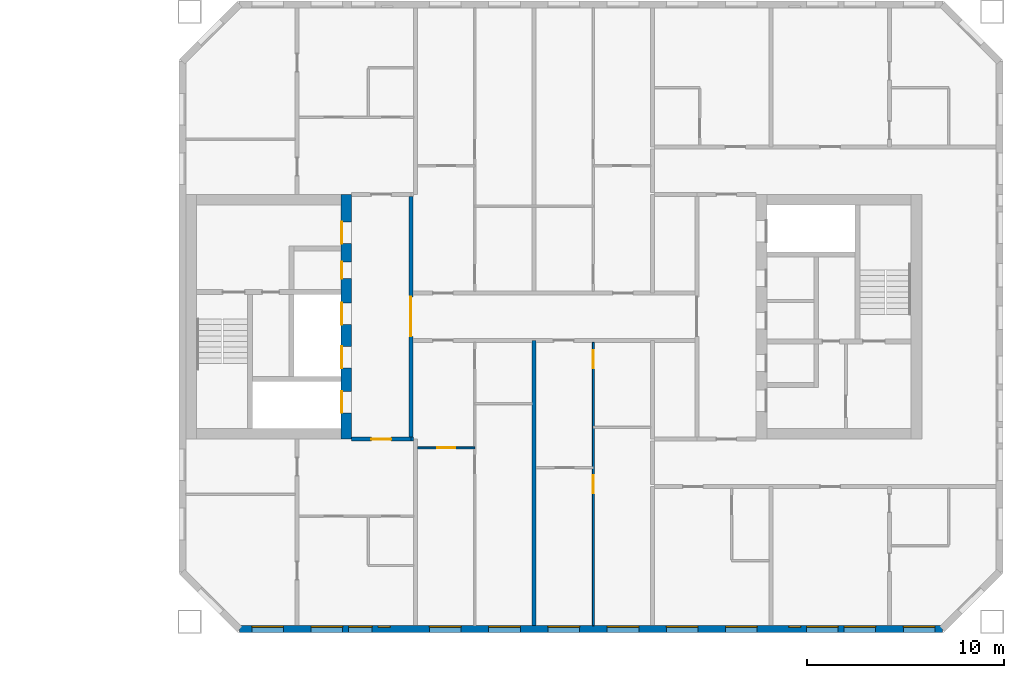
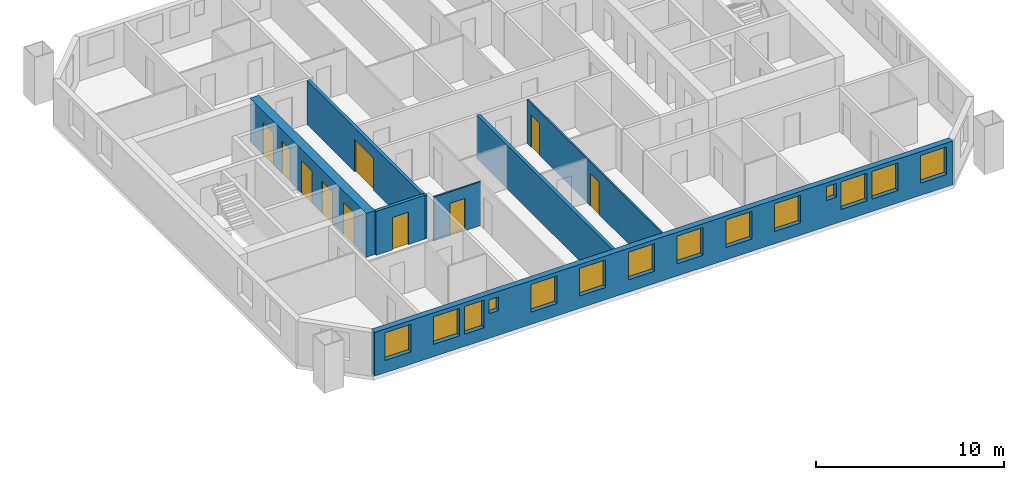
# One storey, part 10 of 16: 14 windows, 10 doors, 8 walls, 24 openings.
"""IFC4 building model written with IfcOpenShell, lengths in metres."""

from ifc_helpers import new_model, si_unit, direction, frame, frame_2d, origin, place, context, subcontext, project, spatial, rectangle, extrude, material, layer, layer_set, type_object, element, fill, save


model = new_model("IFC4")

# Units and contexts
model_context = context("Model", 3, precision=1e-05, world=origin(), true_north=direction((0.0, 1.0)))
body_context = subcontext(model_context, "Body", "Model", "MODEL_VIEW")
ifc_project = project(units=[si_unit("LENGTHUNIT", "METRE"), si_unit("AREAUNIT", "SQUARE_METRE"), si_unit("VOLUMEUNIT", "CUBIC_METRE"), si_unit("PLANEANGLEUNIT", "RADIAN"), si_unit("MASSUNIT", "GRAM", prefix="KILO")], contexts=[model_context])

# Site, building, storey
site_placement = place(None, origin())
site = spatial("IfcSite", under=ifc_project, at=site_placement, CompositionType="ELEMENT")
building_placement = place(site_placement, origin())
building = spatial("IfcBuilding", under=site, at=building_placement, Name="Tuart Gate Housing", CompositionType="ELEMENT")
storey_placement = place(building_placement, frame((0.0, 0.0, 129.89990234375)))
storey = spatial("IfcBuildingStorey", under=building, at=storey_placement, Name="L36", CompositionType="ELEMENT", Elevation=129.89990234375)

# Wall, openings, windows
ifc_material_1 = material(Name="Brick", Category="masonry")
ifc_layer_1 = layer(ifc_material_1, 0.360107421875)
ifc_layer_set_1 = layer_set([ifc_layer_1], Name="Brick pier and spandrel wall 360")
wall_type_1 = type_object("IfcWallType", Name="Brick pier and spandrel wall 360", PredefinedType="STANDARD", material=ifc_layer_set_1)
wall_1_placement = place(storey_placement, frame((134.07470703125, 54.179931640625, 0.0), z_axis=(0.0, 0.0, 1.0), x_axis=(1.0, 0.0, 0.0)))
wall_1 = element("IfcWall", 1, at=wall_1_placement, inside=storey, type_object=wall_type_1, Name="External wall B-S L36", PredefinedType="STANDARD", context=body_context, shape_type="SweptSolid", body=[
    extrude(rectangle(XDim=35.600830078125, YDim=0.360107421875, at=frame_2d((17.80029296875, 0.0))), origin(), (0.0, 0.0, 1.0), 2.85009765625),
])
opening_1_placement = place(wall_1_placement, frame((0.62548828125, 0.0, 0.800048828125)))
opening_1 = element("IfcOpeningElement", 2, at=opening_1_placement, cuts=wall_1, Name="Opening W1", PredefinedType="OPENING", context=body_context, shape_type="SweptSolid", body=[
    extrude(rectangle(XDim=1.60009765625, YDim=1.800048828125, at=frame_2d((0.800048828125, 0.89990234375))), frame((0.0, 0.18994140625, 0.0), z_axis=(0.0, -1.0, 0.0), x_axis=(1.0, 0.0, 0.0)), (0.0, 0.0, 1.0), 0.380126953125),
])
opening_2_placement = place(wall_1_placement, frame((3.62548828125, 0.0, 0.800048828125)))
opening_2 = element("IfcOpeningElement", 3, at=opening_2_placement, cuts=wall_1, Name="Opening W1", PredefinedType="OPENING", context=body_context, shape_type="SweptSolid", body=[
    extrude(rectangle(XDim=1.60009765625, YDim=1.800048828125, at=frame_2d((0.800048828125, 0.89990234375))), frame((0.0, 0.18994140625, 0.0), z_axis=(0.0, -1.0, 0.0), x_axis=(1.0, 0.0, 0.0)), (0.0, 0.0, 1.0), 0.380126953125),
])
opening_3_placement = place(wall_1_placement, frame((5.525390625, 0.0, 0.800048828125)))
opening_3 = element("IfcOpeningElement", 4, at=opening_3_placement, cuts=wall_1, Name="Opening W1B", PredefinedType="OPENING", context=body_context, shape_type="SweptSolid", body=[
    extrude(rectangle(XDim=1.199951171875, YDim=1.800048828125, at=frame_2d((0.60009765625, 0.89990234375))), frame((0.0, 0.18994140625, 0.0), z_axis=(0.0, -1.0, 0.0), x_axis=(1.0, 0.0, 0.0)), (0.0, 0.0, 1.0), 0.380126953125),
])
opening_4_placement = place(wall_1_placement, frame((9.62548828125, 0.0, 0.800048828125)))
opening_4 = element("IfcOpeningElement", 5, at=opening_4_placement, cuts=wall_1, Name="Opening W1", PredefinedType="OPENING", context=body_context, shape_type="SweptSolid", body=[
    extrude(rectangle(XDim=1.60009765625, YDim=1.800048828125, at=frame_2d((0.800048828125, 0.89990234375))), frame((0.0, 0.18994140625, 0.0), z_axis=(0.0, -1.0, 0.0), x_axis=(1.0, 0.0, 0.0)), (0.0, 0.0, 1.0), 0.380126953125),
])
opening_5_placement = place(wall_1_placement, frame((12.62548828125, 0.0, 0.800048828125)))
opening_5 = element("IfcOpeningElement", 6, at=opening_5_placement, cuts=wall_1, Name="Opening W1", PredefinedType="OPENING", context=body_context, shape_type="SweptSolid", body=[
    extrude(rectangle(XDim=1.60009765625, YDim=1.800048828125, at=frame_2d((0.800048828125, 0.89990234375))), frame((0.0, 0.18994140625, 0.0), z_axis=(0.0, -1.0, 0.0), x_axis=(1.0, 0.0, 0.0)), (0.0, 0.0, 1.0), 0.380126953125),
])
opening_6_placement = place(wall_1_placement, frame((15.62548828125, 0.0, 0.800048828125)))
opening_6 = element("IfcOpeningElement", 7, at=opening_6_placement, cuts=wall_1, Name="Opening W1", PredefinedType="OPENING", context=body_context, shape_type="SweptSolid", body=[
    extrude(rectangle(XDim=1.60009765625, YDim=1.800048828125, at=frame_2d((0.800048828125, 0.89990234375))), frame((0.0, 0.18994140625, 0.0), z_axis=(0.0, -1.0, 0.0), x_axis=(1.0, 0.0, 0.0)), (0.0, 0.0, 1.0), 0.380126953125),
])
opening_7_placement = place(wall_1_placement, frame((18.62548828125, 0.0, 0.800048828125)))
opening_7 = element("IfcOpeningElement", 8, at=opening_7_placement, cuts=wall_1, Name="Opening W1", PredefinedType="OPENING", context=body_context, shape_type="SweptSolid", body=[
    extrude(rectangle(XDim=1.60009765625, YDim=1.800048828125, at=frame_2d((0.800048828125, 0.89990234375))), frame((0.0, 0.18994140625, 0.0), z_axis=(0.0, -1.0, 0.0), x_axis=(1.0, 0.0, 0.0)), (0.0, 0.0, 1.0), 0.380126953125),
])
opening_8_placement = place(wall_1_placement, frame((21.62548828125, 0.0, 0.800048828125)))
opening_8 = element("IfcOpeningElement", 9, at=opening_8_placement, cuts=wall_1, Name="Opening W1", PredefinedType="OPENING", context=body_context, shape_type="SweptSolid", body=[
    extrude(rectangle(XDim=1.60009765625, YDim=1.800048828125, at=frame_2d((0.800048828125, 0.89990234375))), frame((0.0, 0.18994140625, 0.0), z_axis=(0.0, -1.0, 0.0), x_axis=(1.0, 0.0, 0.0)), (0.0, 0.0, 1.0), 0.380126953125),
])
opening_9_placement = place(wall_1_placement, frame((24.62548828125, 0.0, 0.800048828125)))
opening_9 = element("IfcOpeningElement", 10, at=opening_9_placement, cuts=wall_1, Name="Opening W1", PredefinedType="OPENING", context=body_context, shape_type="SweptSolid", body=[
    extrude(rectangle(XDim=1.60009765625, YDim=1.800048828125, at=frame_2d((0.800048828125, 0.89990234375))), frame((0.0, 0.18994140625, 0.0), z_axis=(0.0, -1.0, 0.0), x_axis=(1.0, 0.0, 0.0)), (0.0, 0.0, 1.0), 0.380126953125),
])
opening_10_placement = place(wall_1_placement, frame((27.825439453125, 0.0, 1.699951171875)))
opening_10 = element("IfcOpeningElement", 11, at=opening_10_placement, cuts=wall_1, Name="Opening W1W", PredefinedType="OPENING", context=body_context, shape_type="SweptSolid", body=[
    extrude(rectangle(XDim=0.60009765625, YDim=0.89990234375, at=frame_2d((0.300048828125, 0.449951171875))), frame((0.0, 0.18994140625, 0.0), z_axis=(0.0, -1.0, 0.0), x_axis=(1.0, 0.0, 0.0)), (0.0, 0.0, 1.0), 0.380126953125),
])
opening_11_placement = place(wall_1_placement, frame((30.62548828125, 0.0, 0.800048828125)))
opening_11 = element("IfcOpeningElement", 12, at=opening_11_placement, cuts=wall_1, Name="Opening W1", PredefinedType="OPENING", context=body_context, shape_type="SweptSolid", body=[
    extrude(rectangle(XDim=1.60009765625, YDim=1.800048828125, at=frame_2d((0.800048828125, 0.89990234375))), frame((0.0, 0.18994140625, 0.0), z_axis=(0.0, -1.0, 0.0), x_axis=(1.0, 0.0, 0.0)), (0.0, 0.0, 1.0), 0.380126953125),
])
opening_12_placement = place(wall_1_placement, frame((33.62548828125, 0.0, 0.800048828125)))
opening_12 = element("IfcOpeningElement", 13, at=opening_12_placement, cuts=wall_1, Name="Opening W1", PredefinedType="OPENING", context=body_context, shape_type="SweptSolid", body=[
    extrude(rectangle(XDim=1.60009765625, YDim=1.800048828125, at=frame_2d((0.800048828125, 0.89990234375))), frame((0.0, 0.18994140625, 0.0), z_axis=(0.0, -1.0, 0.0), x_axis=(1.0, 0.0, 0.0)), (0.0, 0.0, 1.0), 0.380126953125),
])
opening_13_placement = place(wall_1_placement, frame((7.025390625, 0.0, 1.60009765625)))
opening_13 = element("IfcOpeningElement", 14, at=opening_13_placement, cuts=wall_1, Name="Opening W1W", PredefinedType="OPENING", context=body_context, shape_type="SweptSolid", body=[
    extrude(rectangle(XDim=0.60009765625, YDim=0.89990234375, at=frame_2d((0.300048828125, 0.449951171875))), frame((0.0, 0.18994140625, 0.0), z_axis=(0.0, -1.0, 0.0), x_axis=(1.0, 0.0, 0.0)), (0.0, 0.0, 1.0), 0.380126953125),
])
opening_14_placement = place(wall_1_placement, frame((28.725341796875, 0.0, 0.800048828125)))
opening_14 = element("IfcOpeningElement", 15, at=opening_14_placement, cuts=wall_1, Name="Opening W1", PredefinedType="OPENING", context=body_context, shape_type="SweptSolid", body=[
    extrude(rectangle(XDim=1.60009765625, YDim=1.800048828125, at=frame_2d((0.800048828125, 0.89990234375))), frame((0.0, 0.18994140625, 0.0), z_axis=(0.0, -1.0, 0.0), x_axis=(1.0, 0.0, 0.0)), (0.0, 0.0, 1.0), 0.380126953125),
])
ifc_material_2 = material(Name="Aluminium frame with clear glass", Category="aluminium")
window_type_1 = type_object("IfcWindowType", Name="Punched window 1200 x 1800", PartitioningType="SINGLE_PANEL", PredefinedType="WINDOW", material=ifc_material_2)
window_1_placement = place(opening_3_placement, origin())
window_1 = element("IfcWindow", 16, at=window_1_placement, inside=storey, type_object=window_type_1, Name="Window W1B", OverallHeight=1.800048828125, OverallWidth=1.199951171875, PartitioningType="SINGLE_PANEL", PredefinedType="WINDOW", context=body_context, shape_type="SweptSolid", body=[
    extrude(rectangle(XDim=1.199951171875, YDim=1.800048828125, at=frame_2d((0.60009765625, 0.89990234375))), frame((0.0, 0.150146484375, 0.0), z_axis=(0.0, -1.0, 0.0), x_axis=(1.0, 0.0, 0.0)), (0.0, 0.0, 1.0), 0.06005859375),
])
fill(opening_3, window_1)
ifc_material_3 = material(Name="Aluminium frame with clear glass", Category="aluminium")
window_type_2 = type_object("IfcWindowType", Name="Punched window 1600 x 1800", PartitioningType="SINGLE_PANEL", PredefinedType="WINDOW", material=ifc_material_3)
window_2_placement = place(opening_1_placement, origin())
window_2 = element("IfcWindow", 17, at=window_2_placement, inside=storey, type_object=window_type_2, Name="Window W1", OverallHeight=1.800048828125, OverallWidth=1.60009765625, PartitioningType="SINGLE_PANEL", PredefinedType="WINDOW", context=body_context, shape_type="SweptSolid", body=[
    extrude(rectangle(XDim=1.60009765625, YDim=1.800048828125, at=frame_2d((0.800048828125, 0.89990234375))), frame((0.0, 0.150146484375, 0.0), z_axis=(0.0, -1.0, 0.0), x_axis=(1.0, 0.0, 0.0)), (0.0, 0.0, 1.0), 0.06005859375),
])
fill(opening_1, window_2)
window_3_placement = place(opening_2_placement, origin())
window_3 = element("IfcWindow", 18, at=window_3_placement, inside=storey, type_object=window_type_2, Name="Window W1", OverallHeight=1.800048828125, OverallWidth=1.60009765625, PartitioningType="SINGLE_PANEL", PredefinedType="WINDOW", context=body_context, shape_type="SweptSolid", body=[
    extrude(rectangle(XDim=1.60009765625, YDim=1.800048828125, at=frame_2d((0.800048828125, 0.89990234375))), frame((0.0, 0.150146484375, 0.0), z_axis=(0.0, -1.0, 0.0), x_axis=(1.0, 0.0, 0.0)), (0.0, 0.0, 1.0), 0.06005859375),
])
fill(opening_2, window_3)
window_4_placement = place(opening_4_placement, origin())
window_4 = element("IfcWindow", 19, at=window_4_placement, inside=storey, type_object=window_type_2, Name="Window W1", OverallHeight=1.800048828125, OverallWidth=1.60009765625, PartitioningType="SINGLE_PANEL", PredefinedType="WINDOW", context=body_context, shape_type="SweptSolid", body=[
    extrude(rectangle(XDim=1.60009765625, YDim=1.800048828125, at=frame_2d((0.800048828125, 0.89990234375))), frame((0.0, 0.150146484375, 0.0), z_axis=(0.0, -1.0, 0.0), x_axis=(1.0, 0.0, 0.0)), (0.0, 0.0, 1.0), 0.06005859375),
])
fill(opening_4, window_4)
window_5_placement = place(opening_5_placement, origin())
window_5 = element("IfcWindow", 20, at=window_5_placement, inside=storey, type_object=window_type_2, Name="Window W1", OverallHeight=1.800048828125, OverallWidth=1.60009765625, PartitioningType="SINGLE_PANEL", PredefinedType="WINDOW", context=body_context, shape_type="SweptSolid", body=[
    extrude(rectangle(XDim=1.60009765625, YDim=1.800048828125, at=frame_2d((0.800048828125, 0.89990234375))), frame((0.0, 0.150146484375, 0.0), z_axis=(0.0, -1.0, 0.0), x_axis=(1.0, 0.0, 0.0)), (0.0, 0.0, 1.0), 0.06005859375),
])
fill(opening_5, window_5)
window_6_placement = place(opening_6_placement, origin())
window_6 = element("IfcWindow", 21, at=window_6_placement, inside=storey, type_object=window_type_2, Name="Window W1", OverallHeight=1.800048828125, OverallWidth=1.60009765625, PartitioningType="SINGLE_PANEL", PredefinedType="WINDOW", context=body_context, shape_type="SweptSolid", body=[
    extrude(rectangle(XDim=1.60009765625, YDim=1.800048828125, at=frame_2d((0.800048828125, 0.89990234375))), frame((0.0, 0.150146484375, 0.0), z_axis=(0.0, -1.0, 0.0), x_axis=(1.0, 0.0, 0.0)), (0.0, 0.0, 1.0), 0.06005859375),
])
fill(opening_6, window_6)
window_7_placement = place(opening_7_placement, origin())
window_7 = element("IfcWindow", 22, at=window_7_placement, inside=storey, type_object=window_type_2, Name="Window W1", OverallHeight=1.800048828125, OverallWidth=1.60009765625, PartitioningType="SINGLE_PANEL", PredefinedType="WINDOW", context=body_context, shape_type="SweptSolid", body=[
    extrude(rectangle(XDim=1.60009765625, YDim=1.800048828125, at=frame_2d((0.800048828125, 0.89990234375))), frame((0.0, 0.150146484375, 0.0), z_axis=(0.0, -1.0, 0.0), x_axis=(1.0, 0.0, 0.0)), (0.0, 0.0, 1.0), 0.06005859375),
])
fill(opening_7, window_7)
window_8_placement = place(opening_8_placement, origin())
window_8 = element("IfcWindow", 23, at=window_8_placement, inside=storey, type_object=window_type_2, Name="Window W1", OverallHeight=1.800048828125, OverallWidth=1.60009765625, PartitioningType="SINGLE_PANEL", PredefinedType="WINDOW", context=body_context, shape_type="SweptSolid", body=[
    extrude(rectangle(XDim=1.60009765625, YDim=1.800048828125, at=frame_2d((0.800048828125, 0.89990234375))), frame((0.0, 0.150146484375, 0.0), z_axis=(0.0, -1.0, 0.0), x_axis=(1.0, 0.0, 0.0)), (0.0, 0.0, 1.0), 0.06005859375),
])
fill(opening_8, window_8)
window_9_placement = place(opening_9_placement, origin())
window_9 = element("IfcWindow", 24, at=window_9_placement, inside=storey, type_object=window_type_2, Name="Window W1", OverallHeight=1.800048828125, OverallWidth=1.60009765625, PartitioningType="SINGLE_PANEL", PredefinedType="WINDOW", context=body_context, shape_type="SweptSolid", body=[
    extrude(rectangle(XDim=1.60009765625, YDim=1.800048828125, at=frame_2d((0.800048828125, 0.89990234375))), frame((0.0, 0.150146484375, 0.0), z_axis=(0.0, -1.0, 0.0), x_axis=(1.0, 0.0, 0.0)), (0.0, 0.0, 1.0), 0.06005859375),
])
fill(opening_9, window_9)
window_10_placement = place(opening_11_placement, origin())
window_10 = element("IfcWindow", 25, at=window_10_placement, inside=storey, type_object=window_type_2, Name="Window W1", OverallHeight=1.800048828125, OverallWidth=1.60009765625, PartitioningType="SINGLE_PANEL", PredefinedType="WINDOW", context=body_context, shape_type="SweptSolid", body=[
    extrude(rectangle(XDim=1.60009765625, YDim=1.800048828125, at=frame_2d((0.800048828125, 0.89990234375))), frame((0.0, 0.150146484375, 0.0), z_axis=(0.0, -1.0, 0.0), x_axis=(1.0, 0.0, 0.0)), (0.0, 0.0, 1.0), 0.06005859375),
])
fill(opening_11, window_10)
window_11_placement = place(opening_12_placement, origin())
window_11 = element("IfcWindow", 26, at=window_11_placement, inside=storey, type_object=window_type_2, Name="Window W1", OverallHeight=1.800048828125, OverallWidth=1.60009765625, PartitioningType="SINGLE_PANEL", PredefinedType="WINDOW", context=body_context, shape_type="SweptSolid", body=[
    extrude(rectangle(XDim=1.60009765625, YDim=1.800048828125, at=frame_2d((0.800048828125, 0.89990234375))), frame((0.0, 0.150146484375, 0.0), z_axis=(0.0, -1.0, 0.0), x_axis=(1.0, 0.0, 0.0)), (0.0, 0.0, 1.0), 0.06005859375),
])
fill(opening_12, window_11)
window_12_placement = place(opening_14_placement, origin())
window_12 = element("IfcWindow", 27, at=window_12_placement, inside=storey, type_object=window_type_2, Name="Window W1", OverallHeight=1.800048828125, OverallWidth=1.60009765625, PartitioningType="SINGLE_PANEL", PredefinedType="WINDOW", context=body_context, shape_type="SweptSolid", body=[
    extrude(rectangle(XDim=1.60009765625, YDim=1.800048828125, at=frame_2d((0.800048828125, 0.89990234375))), frame((0.0, 0.150146484375, 0.0), z_axis=(0.0, -1.0, 0.0), x_axis=(1.0, 0.0, 0.0)), (0.0, 0.0, 1.0), 0.06005859375),
])
fill(opening_14, window_12)
ifc_material_4 = material(Name="Aluminium frame with clear glass", Category="aluminium")
window_type_3 = type_object("IfcWindowType", Name="Punched window 600 x 900", PartitioningType="SINGLE_PANEL", PredefinedType="WINDOW", material=ifc_material_4)
window_13_placement = place(opening_10_placement, origin())
window_13 = element("IfcWindow", 28, at=window_13_placement, inside=storey, type_object=window_type_3, Name="Window W1W", OverallHeight=0.89990234375, OverallWidth=0.60009765625, PartitioningType="SINGLE_PANEL", PredefinedType="WINDOW", context=body_context, shape_type="SweptSolid", body=[
    extrude(rectangle(XDim=0.60009765625, YDim=0.89990234375, at=frame_2d((0.300048828125, 0.449951171875))), frame((0.0, 0.150146484375, 0.0), z_axis=(0.0, -1.0, 0.0), x_axis=(1.0, 0.0, 0.0)), (0.0, 0.0, 1.0), 0.06005859375),
])
fill(opening_10, window_13)
window_14_placement = place(opening_13_placement, origin())
window_14 = element("IfcWindow", 29, at=window_14_placement, inside=storey, type_object=window_type_3, Name="Window W1W", OverallHeight=0.89990234375, OverallWidth=0.60009765625, PartitioningType="SINGLE_PANEL", PredefinedType="WINDOW", context=body_context, shape_type="SweptSolid", body=[
    extrude(rectangle(XDim=0.60009765625, YDim=0.89990234375, at=frame_2d((0.300048828125, 0.449951171875))), frame((0.0, 0.150146484375, 0.0), z_axis=(0.0, -1.0, 0.0), x_axis=(1.0, 0.0, 0.0)), (0.0, 0.0, 1.0), 0.06005859375),
])
fill(opening_13, window_14)

# Wall, openings, doors
ifc_material_5 = material(Name="Concrete C50", Category="concrete")
ifc_layer_2 = layer(ifc_material_5, 0.550048828125)
ifc_layer_set_2 = layer_set([ifc_layer_2], Name="Core wall 550 C50")
wall_type_2 = type_object("IfcWallType", Name="Core wall 550 C50", PredefinedType="SHEAR", material=ifc_layer_set_2)
wall_2_placement = place(storey_placement, frame((139.485107421875, 63.800048828125, 0.0), z_axis=(0.0, 0.0, 1.0), x_axis=(0.0, 1.0, 0.0)))
wall_2 = element("IfcWall", 30, at=wall_2_placement, inside=storey, type_object=wall_type_2, Name="Core wall BG front", PredefinedType="SHEAR", context=body_context, shape_type="SweptSolid", body=[
    extrude(rectangle(XDim=12.39990234375, YDim=0.550048828125, at=frame_2d((6.199951171875, 0.0))), origin(), (0.0, 0.0, 1.0), 2.85009765625),
])
opening_15_placement = place(wall_2_placement, frame((1.324951171875, 0.0, 0.0)))
opening_15 = element("IfcOpeningElement", 31, at=opening_15_placement, cuts=wall_2, Name="Opening LD-FB1", PredefinedType="OPENING", context=body_context, shape_type="SweptSolid", body=[
    extrude(rectangle(XDim=1.10009765625, YDim=2.10009765625, at=frame_2d((0.550048828125, 1.050048828125))), frame((0.0, 0.284912109375, 0.0), z_axis=(0.0, -1.0, 0.0), x_axis=(1.0, 0.0, 0.0)), (0.0, 0.0, 1.0), 0.570068359375),
])
opening_16_placement = place(wall_2_placement, frame((3.60009765625, 0.0, 0.0)))
opening_16 = element("IfcOpeningElement", 32, at=opening_16_placement, cuts=wall_2, Name="Opening LD-LB1", PredefinedType="OPENING", context=body_context, shape_type="SweptSolid", body=[
    extrude(rectangle(XDim=1.10009765625, YDim=2.10009765625, at=frame_2d((0.550048828125, 1.050048828125))), frame((0.0, 0.284912109375, 0.0), z_axis=(0.0, -1.0, 0.0), x_axis=(1.0, 0.0, 0.0)), (0.0, 0.0, 1.0), 0.570068359375),
])
opening_17_placement = place(wall_2_placement, frame((5.800048828125, 0.0, 0.0)))
opening_17 = element("IfcOpeningElement", 33, at=opening_17_placement, cuts=wall_2, Name="Opening LD-LB2", PredefinedType="OPENING", context=body_context, shape_type="SweptSolid", body=[
    extrude(rectangle(XDim=1.10009765625, YDim=2.10009765625, at=frame_2d((0.550048828125, 1.050048828125))), frame((0.0, 0.284912109375, 0.0), z_axis=(0.0, -1.0, 0.0), x_axis=(1.0, 0.0, 0.0)), (0.0, 0.0, 1.0), 0.570068359375),
])
opening_18_placement = place(wall_2_placement, frame((9.89990234375, 0.0, 0.0)))
opening_18 = element("IfcOpeningElement", 34, at=opening_18_placement, cuts=wall_2, Name="Opening D1372", PredefinedType="OPENING", context=body_context, shape_type="SweptSolid", body=[
    extrude(rectangle(XDim=1.10009765625, YDim=2.10009765625, at=frame_2d((0.550048828125, 1.050048828125))), frame((0.0, 0.284912109375, 0.0), z_axis=(0.0, -1.0, 0.0), x_axis=(1.0, 0.0, 0.0)), (0.0, 0.0, 1.0), 0.570068359375),
])
opening_19_placement = place(wall_2_placement, frame((8.125, 0.0, 0.0)))
opening_19 = element("IfcOpeningElement", 35, at=opening_19_placement, cuts=wall_2, Name="Opening D1373", PredefinedType="OPENING", context=body_context, shape_type="SweptSolid", body=[
    extrude(rectangle(XDim=0.85009765625, YDim=2.10009765625, at=frame_2d((0.425048828125, 1.050048828125))), frame((0.0, 0.284912109375, 0.0), z_axis=(0.0, -1.0, 0.0), x_axis=(1.0, 0.0, 0.0)), (0.0, 0.0, 1.0), 0.570068359375),
])
ifc_material_6 = material(Name="Stainless steel", Category="steel")
door_type_1 = type_object("IfcDoorType", Name="Landing door 1100 x 2100", OperationType="DOUBLE_DOOR_SLIDING", PredefinedType="DOOR", material=ifc_material_6)
door_1_placement = place(opening_15_placement, origin())
door_1 = element("IfcDoor", 36, at=door_1_placement, inside=storey, type_object=door_type_1, Name="Lift landing door FB1", OperationType="DOUBLE_DOOR_SLIDING", OverallHeight=2.10009765625, OverallWidth=1.10009765625, PredefinedType="DOOR", context=body_context, shape_type="SweptSolid", body=[
    extrude(rectangle(XDim=1.10009765625, YDim=2.10009765625, at=frame_2d((0.550048828125, 1.050048828125))), frame((0.0, 0.26025390625, 0.0), z_axis=(0.0, -1.0, 0.0), x_axis=(1.0, 0.0, 0.0)), (0.0, 0.0, 1.0), 0.050048828125),
])
fill(opening_15, door_1)
door_2_placement = place(opening_16_placement, origin())
door_2 = element("IfcDoor", 37, at=door_2_placement, inside=storey, type_object=door_type_1, Name="Lift landing door LB1", OperationType="DOUBLE_DOOR_SLIDING", OverallHeight=2.10009765625, OverallWidth=1.10009765625, PredefinedType="DOOR", context=body_context, shape_type="SweptSolid", body=[
    extrude(rectangle(XDim=1.10009765625, YDim=2.10009765625, at=frame_2d((0.550048828125, 1.050048828125))), frame((0.0, 0.26025390625, 0.0), z_axis=(0.0, -1.0, 0.0), x_axis=(1.0, 0.0, 0.0)), (0.0, 0.0, 1.0), 0.050048828125),
])
fill(opening_16, door_2)
door_3_placement = place(opening_17_placement, origin())
door_3 = element("IfcDoor", 38, at=door_3_placement, inside=storey, type_object=door_type_1, Name="Lift landing door LB2", OperationType="DOUBLE_DOOR_SLIDING", OverallHeight=2.10009765625, OverallWidth=1.10009765625, PredefinedType="DOOR", context=body_context, shape_type="SweptSolid", body=[
    extrude(rectangle(XDim=1.10009765625, YDim=2.10009765625, at=frame_2d((0.550048828125, 1.050048828125))), frame((0.0, 0.26025390625, 0.0), z_axis=(0.0, -1.0, 0.0), x_axis=(1.0, 0.0, 0.0)), (0.0, 0.0, 1.0), 0.050048828125),
])
fill(opening_17, door_3)
ifc_material_7 = material(Name="Steel fire door", Category="steel")
door_type_2 = type_object("IfcDoorType", Name="Lobby door 1100 x 2100", OperationType="SINGLE_SWING_LEFT", PredefinedType="DOOR", material=ifc_material_7)
door_4_placement = place(opening_18_placement, origin())
door_4 = element("IfcDoor", 39, at=door_4_placement, inside=storey, type_object=door_type_2, Name="Lobby entry door BG.EN", OperationType="SINGLE_SWING_LEFT", OverallHeight=2.10009765625, OverallWidth=1.10009765625, PredefinedType="DOOR", context=body_context, shape_type="SweptSolid", body=[
    extrude(rectangle(XDim=1.10009765625, YDim=2.10009765625, at=frame_2d((0.550048828125, 1.050048828125))), frame((0.0, 0.26025390625, 0.0), z_axis=(0.0, -1.0, 0.0), x_axis=(1.0, 0.0, 0.0)), (0.0, 0.0, 1.0), 0.050048828125),
])
fill(opening_18, door_4)
ifc_material_8 = material(Name="Steel fire door", Category="steel")
door_type_3 = type_object("IfcDoorType", Name="Service door 850 x 2100", OperationType="SINGLE_SWING_LEFT", PredefinedType="DOOR", material=ifc_material_8)
door_5_placement = place(opening_19_placement, origin())
door_5 = element("IfcDoor", 40, at=door_5_placement, inside=storey, type_object=door_type_3, Name="Service room door BG.T1", OperationType="SINGLE_SWING_LEFT", OverallHeight=2.10009765625, OverallWidth=0.85009765625, PredefinedType="DOOR", context=body_context, shape_type="SweptSolid", body=[
    extrude(rectangle(XDim=0.85009765625, YDim=2.10009765625, at=frame_2d((0.425048828125, 1.050048828125))), frame((0.0, 0.26025390625, 0.0), z_axis=(0.0, -1.0, 0.0), x_axis=(1.0, 0.0, 0.0)), (0.0, 0.0, 1.0), 0.050048828125),
])
fill(opening_19, door_5)

# Wall, opening, door
ifc_material_9 = material(Name="Concrete masonry 15 MPa", Category="masonry")
ifc_layer_3 = layer(ifc_material_9, 0.199951171875)
ifc_layer_set_3 = layer_set([ifc_layer_3], Name="Enclosure wall masonry 200")
wall_type_3 = type_object("IfcWallType", Name="Enclosure wall masonry 200", PredefinedType="PARTITIONING", material=ifc_layer_set_3)
wall_3_placement = place(storey_placement, frame((139.760009765625, 63.800048828125, 0.0), z_axis=(0.0, 0.0, 1.0), x_axis=(1.0, 0.0, 0.0)))
wall_3 = element("IfcWall", 41, at=wall_3_placement, inside=storey, type_object=wall_type_3, Name="Enclosure wall masonry 200", PredefinedType="PARTITIONING", context=body_context, shape_type="SweptSolid", body=[
    extrude(rectangle(XDim=3.0, YDim=0.199951171875, at=frame_2d((1.5, 0.0))), origin(), (0.0, 0.0, 1.0), 2.85009765625),
])
opening_20_placement = place(wall_3_placement, frame((1.0, 0.0, 0.0)))
opening_20 = element("IfcOpeningElement", 42, at=opening_20_placement, cuts=wall_3, Name="Opening D1385", PredefinedType="OPENING", context=body_context, shape_type="SweptSolid", body=[
    extrude(rectangle(XDim=1.0, YDim=2.10009765625, at=frame_2d((0.5, 1.050048828125))), frame((0.0, 0.10986328125, 0.0), z_axis=(0.0, -1.0, 0.0), x_axis=(1.0, 0.0, 0.0)), (0.0, 0.0, 1.0), 0.219970703125),
])
ifc_material_10 = material(Name="Timber door leaf in steel frame", Category="steel")
door_type_4 = type_object("IfcDoorType", Name="Flat entrance door 1000", OperationType="SINGLE_SWING_LEFT", PredefinedType="DOOR", material=ifc_material_10)
door_6_placement = place(opening_20_placement, frame((1.0, 0.0, 0.0), z_axis=(0.0, 0.0, 1.0), x_axis=(-1.0, 0.0, 0.0)))
door_6 = element("IfcDoor", 43, at=door_6_placement, inside=storey, type_object=door_type_4, Name="Flat entrance door", OperationType="SINGLE_SWING_LEFT", OverallHeight=2.10009765625, OverallWidth=1.0, PredefinedType="DOOR", context=body_context, shape_type="SweptSolid", body=[
    extrude(rectangle(XDim=1.0, YDim=2.10009765625, at=frame_2d((0.5, 1.050048828125))), frame((0.0, 0.025146484375, 0.0), z_axis=(0.0, -1.0, 0.0), x_axis=(1.0, 0.0, 0.0)), (0.0, 0.0, 1.0), 0.050048828125),
])
fill(opening_20, door_6)

ifc_material_11 = material(Name="Plasterboard partition")
ifc_layer_4 = layer(ifc_material_11, 0.199951171875)
ifc_layer_set_4 = layer_set([ifc_layer_4], Name="Lobby wall 200")
wall_type_4 = type_object("IfcWallType", Name="Lobby wall 200", PredefinedType="PARTITIONING", material=ifc_layer_set_4)
wall_4_placement = place(storey_placement, frame((142.760009765625, 63.89990234375, 0.0), z_axis=(0.0, 0.0, 1.0), x_axis=(0.0, 1.0, 0.0)))
wall_4 = element("IfcWall", 44, at=wall_4_placement, inside=storey, type_object=wall_type_4, Name="Lift lobby wall BG", PredefinedType="PARTITIONING", context=body_context, shape_type="SweptSolid", body=[
    extrude(rectangle(XDim=12.2001953125, YDim=0.199951171875, at=frame_2d((6.10009765625, 0.0))), origin(), (0.0, 0.0, 1.0), 2.85009765625),
])
opening_21_placement = place(wall_4_placement, frame((5.10009765625, 0.0, 0.0)))
opening_21 = element("IfcOpeningElement", 45, at=opening_21_placement, cuts=wall_4, Name="Opening D1374", PredefinedType="OPENING", context=body_context, shape_type="SweptSolid", body=[
    extrude(rectangle(XDim=2.0, YDim=2.10009765625, at=frame_2d((1.0, 1.050048828125))), frame((0.0, 0.10986328125, 0.0), z_axis=(0.0, -1.0, 0.0), x_axis=(1.0, 0.0, 0.0)), (0.0, 0.0, 1.0), 0.219970703125),
])
ifc_material_12 = material(Name="Steel fire door", Category="steel")
door_type_5 = type_object("IfcDoorType", Name="Smoke door 2000 x 2100", OperationType="DOUBLE_DOOR_SINGLE_SWING", PredefinedType="DOOR", material=ifc_material_12)
door_7_placement = place(opening_21_placement, origin())
door_7 = element("IfcDoor", 46, at=door_7_placement, inside=storey, type_object=door_type_5, Name="Lift lobby smoke door BG", OperationType="DOUBLE_DOOR_SINGLE_SWING", OverallHeight=2.10009765625, OverallWidth=2.0, PredefinedType="DOOR", context=body_context, shape_type="SweptSolid", body=[
    extrude(rectangle(XDim=2.0, YDim=2.10009765625, at=frame_2d((1.0, 1.050048828125))), frame((0.0, 0.02490234375, 0.0), z_axis=(0.0, -1.0, 0.0), x_axis=(1.0, 0.0, 0.0)), (0.0, 0.0, 1.0), 0.050048828125),
])
fill(opening_21, door_7)

ifc_material_13 = material(Name="Gypsum board on steel studs", Category="steel")
ifc_layer_5 = layer(ifc_material_13, 0.10009765625)
ifc_layer_set_5 = layer_set([ifc_layer_5], Name="Partition 100")
wall_type_5 = type_object("IfcWallType", Name="Partition 100", PredefinedType="PARTITIONING", material=ifc_layer_set_5)
wall_5_placement = place(storey_placement, frame((143.10009765625, 63.360107421875, 0.0), z_axis=(0.0, 0.0, 1.0), x_axis=(1.0, 0.0, 0.0)))
wall_5 = element("IfcWall", 47, at=wall_5_placement, inside=storey, type_object=wall_type_5, Name="Partition 100", PredefinedType="PARTITIONING", context=body_context, shape_type="SweptSolid", body=[
    extrude(rectangle(XDim=2.89990234375, YDim=0.10009765625, at=frame_2d((1.449951171875, 0.0))), origin(), (0.0, 0.0, 1.0), 2.85009765625),
])
opening_22_placement = place(wall_5_placement, frame((1.0, 0.0, 0.0)))
opening_22 = element("IfcOpeningElement", 48, at=opening_22_placement, cuts=wall_5, Name="Opening D1387", PredefinedType="OPENING", context=body_context, shape_type="SweptSolid", body=[
    extrude(rectangle(XDim=0.89990234375, YDim=2.10009765625, at=frame_2d((0.449951171875, 1.050048828125))), frame((0.0, 0.06005859375, 0.0), z_axis=(0.0, -1.0, 0.0), x_axis=(1.0, 0.0, 0.0)), (0.0, 0.0, 1.0), 0.1201171875),
])
ifc_material_14 = material(Name="Timber door leaf in steel frame", Category="steel")
door_type_6 = type_object("IfcDoorType", Name="Internal door 900 RH", OperationType="SINGLE_SWING_RIGHT", PredefinedType="DOOR", material=ifc_material_14)
door_8_placement = place(opening_22_placement, origin())
door_8 = element("IfcDoor", 49, at=door_8_placement, inside=storey, type_object=door_type_6, Name="Internal door", OperationType="SINGLE_SWING_RIGHT", OverallHeight=2.10009765625, OverallWidth=0.89990234375, PredefinedType="DOOR", context=body_context, shape_type="SweptSolid", body=[
    extrude(rectangle(XDim=0.89990234375, YDim=2.10009765625, at=frame_2d((0.449951171875, 1.050048828125))), frame((0.0, 0.02490234375, 0.0), z_axis=(0.0, -1.0, 0.0), x_axis=(1.0, 0.0, 0.0)), (0.0, 0.0, 1.0), 0.050048828125),
])
fill(opening_22, door_8)

# Wall, openings, doors
wall_6_placement = place(storey_placement, frame((152.0, 54.360107421875, 0.0), z_axis=(0.0, 0.0, 1.0), x_axis=(0.0, 1.0, 0.0)))
wall_6 = element("IfcWall", 50, at=wall_6_placement, inside=storey, type_object=wall_type_5, Name="Partition 100", PredefinedType="PARTITIONING", context=body_context, shape_type="SweptSolid", body=[
    extrude(rectangle(XDim=14.33984375, YDim=0.10009765625, at=frame_2d((7.169921875, 0.0))), origin(), (0.0, 0.0, 1.0), 2.85009765625),
])
opening_23_placement = place(wall_6_placement, frame((6.699951171875, 0.0, 0.0)))
opening_23 = element("IfcOpeningElement", 51, at=opening_23_placement, cuts=wall_6, Name="Opening D1392", PredefinedType="OPENING", context=body_context, shape_type="SweptSolid", body=[
    extrude(rectangle(XDim=0.89990234375, YDim=2.10009765625, at=frame_2d((0.449951171875, 1.050048828125))), frame((0.0, 0.06005859375, 0.0), z_axis=(0.0, -1.0, 0.0), x_axis=(1.0, 0.0, 0.0)), (0.0, 0.0, 1.0), 0.1201171875),
])
opening_24_placement = place(wall_6_placement, frame((13.0400390625, 0.0, 0.0)))
opening_24 = element("IfcOpeningElement", 52, at=opening_24_placement, cuts=wall_6, Name="Opening D1391", PredefinedType="OPENING", context=body_context, shape_type="SweptSolid", body=[
    extrude(rectangle(XDim=0.89990234375, YDim=2.10009765625, at=frame_2d((0.449951171875, 1.050048828125))), frame((0.0, 0.06005859375, 0.0), z_axis=(0.0, -1.0, 0.0), x_axis=(1.0, 0.0, 0.0)), (0.0, 0.0, 1.0), 0.1201171875),
])
ifc_material_15 = material(Name="Timber door leaf in steel frame", Category="steel")
door_type_7 = type_object("IfcDoorType", Name="Bathroom door 900", OperationType="SINGLE_SWING_LEFT", PredefinedType="DOOR", material=ifc_material_15)
door_9_placement = place(opening_24_placement, frame((0.89990234375, 0.0, 0.0), z_axis=(0.0, 0.0, 1.0), x_axis=(-1.0, 0.0, 0.0)))
door_9 = element("IfcDoor", 53, at=door_9_placement, inside=storey, type_object=door_type_7, Name="Bathroom door", OperationType="SINGLE_SWING_LEFT", OverallHeight=2.10009765625, OverallWidth=0.89990234375, PredefinedType="DOOR", context=body_context, shape_type="SweptSolid", body=[
    extrude(rectangle(XDim=0.89990234375, YDim=2.10009765625, at=frame_2d((0.449951171875, 1.050048828125))), frame((0.0, 0.025146484375, 0.0), z_axis=(0.0, -1.0, 0.0), x_axis=(1.0, 0.0, 0.0)), (0.0, 0.0, 1.0), 0.050048828125),
])
fill(opening_24, door_9)
ifc_material_16 = material(Name="Timber door leaf in steel frame", Category="steel")
door_type_8 = type_object("IfcDoorType", Name="Internal door 900", OperationType="SINGLE_SWING_LEFT", PredefinedType="DOOR", material=ifc_material_16)
door_10_placement = place(opening_23_placement, frame((0.89990234375, 0.0, 0.0), z_axis=(0.0, 0.0, 1.0), x_axis=(-1.0, 0.0, 0.0)))
door_10 = element("IfcDoor", 54, at=door_10_placement, inside=storey, type_object=door_type_8, Name="Internal door", OperationType="SINGLE_SWING_LEFT", OverallHeight=2.10009765625, OverallWidth=0.89990234375, PredefinedType="DOOR", context=body_context, shape_type="SweptSolid", body=[
    extrude(rectangle(XDim=0.89990234375, YDim=2.10009765625, at=frame_2d((0.449951171875, 1.050048828125))), frame((0.0, 0.025146484375, 0.0), z_axis=(0.0, -1.0, 0.0), x_axis=(1.0, 0.0, 0.0)), (0.0, 0.0, 1.0), 0.050048828125),
])
fill(opening_23, door_10)

# Walls
ifc_material_17 = material(Name="Concrete C40", Category="concrete")
ifc_layer_6 = layer(ifc_material_17, 0.199951171875)
ifc_layer_set_6 = layer_set([ifc_layer_6], Name="Party wall concrete C40 200")
wall_type_6 = type_object("IfcWallType", Name="Party wall concrete C40 200", PredefinedType="SOLIDWALL", material=ifc_layer_set_6)
wall_7_placement = place(storey_placement, frame((149.0, 54.360107421875, 0.0), z_axis=(0.0, 0.0, 1.0), x_axis=(0.0, 1.0, 0.0)))
element("IfcWall", 55, at=wall_7_placement, inside=storey, type_object=wall_type_6, Name="Party wall concrete C40 200", PredefinedType="SOLIDWALL", context=body_context, shape_type="SweptSolid", body=[
    extrude(rectangle(XDim=14.43994140625, YDim=0.199951171875, at=frame_2d((7.219970703125, 0.0))), origin(), (0.0, 0.0, 1.0), 2.85009765625),
])
ifc_material_18 = material(Name="Concrete masonry 15 MPa", Category="masonry")
ifc_layer_7 = layer(ifc_material_18, 0.199951171875)
ifc_layer_set_7 = layer_set([ifc_layer_7], Name="Party wall masonry 200")
wall_type_7 = type_object("IfcWallType", Name="Party wall masonry 200", PredefinedType="PARTITIONING", material=ifc_layer_set_7)
wall_8_placement = place(storey_placement, frame((142.760009765625, 63.800048828125, 0.0), z_axis=(0.0, 0.0, 1.0), x_axis=(1.0, 0.0, 0.0)))
element("IfcWall", 56, at=wall_8_placement, inside=storey, type_object=wall_type_7, Name="Party wall masonry 200", PredefinedType="PARTITIONING", context=body_context, shape_type="SweptSolid", body=[
    extrude(rectangle(XDim=0.139892578125, YDim=0.199951171875, at=frame_2d((0.06982421875, 0.0))), origin(), (0.0, 0.0, 1.0), 2.85009765625),
])

save(model, "model.ifc")
